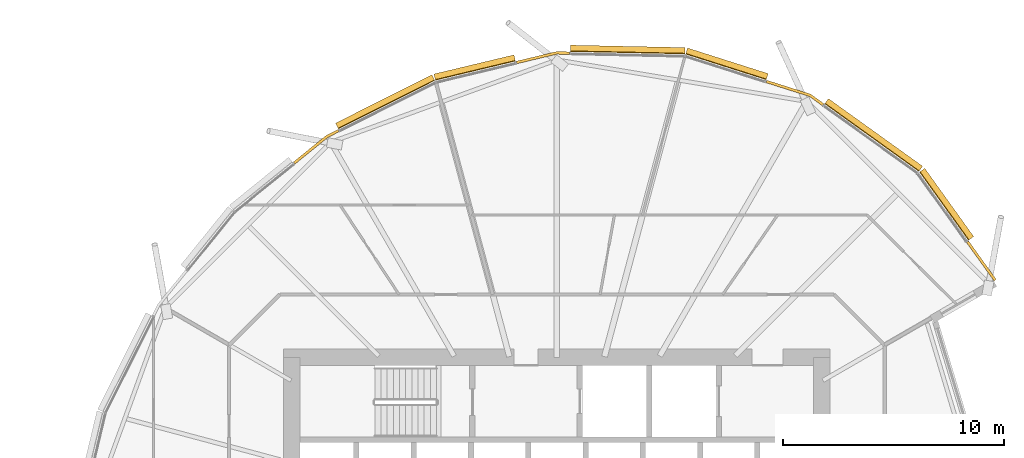
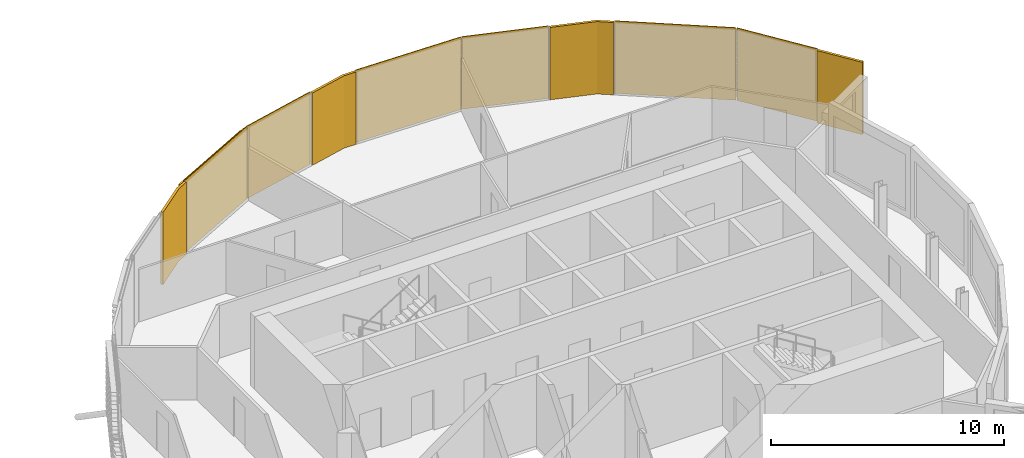
# One storey, part 38 of 38: 10 coverings.
"""IFC4 building model written with IfcOpenShell, lengths in metres."""

from ifc_helpers import new_model, si_unit, direction, frame, origin, place, context, subcontext, project, spatial, polyline, outline, extrude, material, layer, layer_set, material_profile, profile_set, type_object, element, save


model = new_model("IFC4")

# Units and contexts
model_context = context("Model", 3, precision=1e-05, world=origin(), true_north=direction((0.0, 1.0)))
body_context = subcontext(model_context, "Body", "Model", "MODEL_VIEW")
ifc_project = project(units=[si_unit("LENGTHUNIT", "METRE"), si_unit("AREAUNIT", "SQUARE_METRE"), si_unit("VOLUMEUNIT", "CUBIC_METRE"), si_unit("PLANEANGLEUNIT", "RADIAN"), si_unit("MASSUNIT", "GRAM", prefix="KILO")], contexts=[model_context])

# Site, building, storey
site_placement = place(None, origin())
site = spatial("IfcSite", under=ifc_project, at=site_placement, CompositionType="ELEMENT")
building_placement = place(site_placement, origin())
building = spatial("IfcBuilding", under=site, at=building_placement, Name="Rimbun Link Towers", CompositionType="ELEMENT")
storey_placement = place(building_placement, frame((0.0, 0.0, 123.39990234375)))
storey = spatial("IfcBuildingStorey", under=building, at=storey_placement, Name="L30", CompositionType="ELEMENT", Elevation=123.39990234375)

# Coverings
ifc_material_1 = material(Name="Terracotta", Category="masonry")
ifc_layer = layer(ifc_material_1, 0.1201171875)
ifc_layer_set = layer_set([ifc_layer], Name="LINK PIER terracotta cladding 120")
covering_type_1 = type_object("IfcCoveringType", Name="LINK PIER terracotta cladding 120", PredefinedType="CLADDING", material=ifc_layer_set)
covering_1_placement = place(storey_placement, origin())
element("IfcCovering", 1, at=covering_1_placement, inside=storey, type_object=covering_type_1, Name="LINK PIER cladding", PredefinedType="CLADDING", context=body_context, shape_type="SweptSolid", body=[
    extrude(outline(polyline([(41.2158203125, 20.439208984375), (43.1884765625, 19.81201171875), (43.7734375, 19.39208984375), (43.84326171875, 19.48974609375), (43.242919921875, 19.92041015625), (41.252197265625, 20.5537109375), (41.2158203125, 20.439208984375)])), origin(), (0.0, 0.0, 1.0), 3.800048828125),
])
covering_2_placement = place(storey_placement, origin())
element("IfcCovering", 2, at=covering_2_placement, inside=storey, type_object=covering_type_1, Name="LINK PIER cladding", PredefinedType="CLADDING", context=body_context, shape_type="SweptSolid", body=[
    extrude(outline(polyline([(29.931396484375, 21.29541015625), (31.75, 21.730224609375), (32.31982421875, 21.71826171875), (32.322509765625, 21.83837890625), (31.737060546875, 21.8505859375), (29.9033203125, 21.412109375), (29.931396484375, 21.29541015625)])), origin(), (0.0, 0.0, 1.0), 3.800048828125),
])
covering_3_placement = place(storey_placement, origin())
element("IfcCovering", 3, at=covering_3_placement, inside=storey, type_object=covering_type_1, Name="LINK PIER cladding", PredefinedType="CLADDING", context=body_context, shape_type="SweptSolid", body=[
    extrude(outline(polyline([(19.887451171875, 16.753662109375), (21.3798828125, 17.961669921875), (21.88916015625, 18.217529296875), (21.835205078125, 18.32470703125), (21.314453125, 18.063232421875), (19.81201171875, 16.846923828125), (19.887451171875, 16.753662109375)])), origin(), (0.0, 0.0, 1.0), 3.800048828125),
])
covering_4_placement = place(storey_placement, origin())
element("IfcCovering", 4, at=covering_4_placement, inside=storey, type_object=covering_type_1, Name="LINK PIER cladding", PredefinedType="CLADDING", context=body_context, shape_type="SweptSolid", body=[
    extrude(outline(polyline([(50.296875, 13.201416015625), (51.54443359375, 11.462890625), (51.641845703125, 11.53271484375), (50.394287109375, 13.271484375), (50.296875, 13.201416015625)])), origin(), (0.0, 0.0, 1.0), 3.800048828125),
])
ifc_material_2 = material(Name="Terracotta", Category="masonry")
ifc_material_profile = material_profile(ifc_material_2, outline(polyline([(0.123046875, 0.0), (0.1630859375, 0.0), (0.1630859375, 0.10009765625), (0.423095703125, 0.10009765625), (0.423095703125, 0.219970703125), (0.1630859375, 0.219970703125), (0.1630859375, 0.39990234375), (0.423095703125, 0.39990234375), (0.423095703125, 0.52001953125), (0.1630859375, 0.52001953125), (0.1630859375, 0.699951171875), (0.423095703125, 0.699951171875), (0.423095703125, 0.820068359375), (0.1630859375, 0.820068359375), (0.1630859375, 1.0), (0.423095703125, 1.0), (0.423095703125, 1.1201171875), (0.1630859375, 1.1201171875), (0.1630859375, 1.300048828125), (0.423095703125, 1.300048828125), (0.423095703125, 1.419921875), (0.1630859375, 1.419921875), (0.1630859375, 1.60009765625), (0.423095703125, 1.60009765625), (0.423095703125, 1.719970703125), (0.1630859375, 1.719970703125), (0.1630859375, 1.89990234375), (0.423095703125, 1.89990234375), (0.423095703125, 2.02001953125), (0.1630859375, 2.02001953125), (0.1630859375, 2.199951171875), (0.423095703125, 2.199951171875), (0.423095703125, 2.320068359375), (0.1630859375, 2.320068359375), (0.1630859375, 2.5), (0.423095703125, 2.5), (0.423095703125, 2.6201171875), (0.1630859375, 2.6201171875), (0.1630859375, 2.800048828125), (0.423095703125, 2.800048828125), (0.423095703125, 2.919921875), (0.1630859375, 2.919921875), (0.1630859375, 3.10009765625), (0.423095703125, 3.10009765625), (0.423095703125, 3.219970703125), (0.1630859375, 3.219970703125), (0.1630859375, 3.39990234375), (0.423095703125, 3.39990234375), (0.423095703125, 3.52001953125), (0.1630859375, 3.52001953125), (0.1630859375, 3.800048828125), (0.123046875, 3.800048828125), (0.123046875, 0.0)])), Name="BAGUETTE 120X300")
ifc_profile_set = profile_set([ifc_material_profile], Name="Terracotta")
covering_type_2 = type_object("IfcCoveringType", Name="TERRACOTTA BAGUETTE 120X300 H3800", PredefinedType="CLADDING", material=ifc_profile_set)
covering_5_placement = place(storey_placement, frame((43.7978515625, 19.374755859375, 0.0), z_axis=(0.812471696344, -0.583000636912, 0.0), x_axis=(0.583000636912, 0.812471696344, 0.0)))
element("IfcCovering", 5, at=covering_5_placement, inside=storey, type_object=covering_type_2, Name="TERRACOTTA BAGUETTE", PredefinedType="CLADDING", context=body_context, shape_type="SweptSolid", body=[
    extrude(outline(polyline([(0.123046875, 0.0), (0.1630859375, 0.0), (0.1630859375, 0.10009765625), (0.423095703125, 0.10009765625), (0.423095703125, 0.219970703125), (0.1630859375, 0.219970703125), (0.1630859375, 0.39990234375), (0.423095703125, 0.39990234375), (0.423095703125, 0.52001953125), (0.1630859375, 0.52001953125), (0.1630859375, 0.699951171875), (0.423095703125, 0.699951171875), (0.423095703125, 0.820068359375), (0.1630859375, 0.820068359375), (0.1630859375, 1.0), (0.423095703125, 1.0), (0.423095703125, 1.1201171875), (0.1630859375, 1.1201171875), (0.1630859375, 1.300048828125), (0.423095703125, 1.300048828125), (0.423095703125, 1.419921875), (0.1630859375, 1.419921875), (0.1630859375, 1.60009765625), (0.423095703125, 1.60009765625), (0.423095703125, 1.719970703125), (0.1630859375, 1.719970703125), (0.1630859375, 1.89990234375), (0.423095703125, 1.89990234375), (0.423095703125, 2.02001953125), (0.1630859375, 2.02001953125), (0.1630859375, 2.199951171875), (0.423095703125, 2.199951171875), (0.423095703125, 2.320068359375), (0.1630859375, 2.320068359375), (0.1630859375, 2.5), (0.423095703125, 2.5), (0.423095703125, 2.6201171875), (0.1630859375, 2.6201171875), (0.1630859375, 2.800048828125), (0.423095703125, 2.800048828125), (0.423095703125, 2.919921875), (0.1630859375, 2.919921875), (0.1630859375, 3.10009765625), (0.423095703125, 3.10009765625), (0.423095703125, 3.219970703125), (0.1630859375, 3.219970703125), (0.1630859375, 3.39990234375), (0.423095703125, 3.39990234375), (0.423095703125, 3.52001953125), (0.1630859375, 3.52001953125), (0.1630859375, 3.800048828125), (0.123046875, 3.800048828125), (0.123046875, 0.0)])), origin(), (0.0, 0.0, 1.0), 5.25048828125),
])
covering_6_placement = place(storey_placement, frame((37.539794921875, 21.6083984375, 0.0), z_axis=(0.952955932815, -0.303108875016, 0.0), x_axis=(0.303108875016, 0.952955932815, 0.0)))
element("IfcCovering", 6, at=covering_6_placement, inside=storey, type_object=covering_type_2, Name="TERRACOTTA BAGUETTE", PredefinedType="CLADDING", context=body_context, shape_type="SweptSolid", body=[
    extrude(outline(polyline([(0.123046875, 0.0), (0.1630859375, 0.0), (0.1630859375, 0.10009765625), (0.423095703125, 0.10009765625), (0.423095703125, 0.219970703125), (0.1630859375, 0.219970703125), (0.1630859375, 0.39990234375), (0.423095703125, 0.39990234375), (0.423095703125, 0.52001953125), (0.1630859375, 0.52001953125), (0.1630859375, 0.699951171875), (0.423095703125, 0.699951171875), (0.423095703125, 0.820068359375), (0.1630859375, 0.820068359375), (0.1630859375, 1.0), (0.423095703125, 1.0), (0.423095703125, 1.1201171875), (0.1630859375, 1.1201171875), (0.1630859375, 1.300048828125), (0.423095703125, 1.300048828125), (0.423095703125, 1.419921875), (0.1630859375, 1.419921875), (0.1630859375, 1.60009765625), (0.423095703125, 1.60009765625), (0.423095703125, 1.719970703125), (0.1630859375, 1.719970703125), (0.1630859375, 1.89990234375), (0.423095703125, 1.89990234375), (0.423095703125, 2.02001953125), (0.1630859375, 2.02001953125), (0.1630859375, 2.199951171875), (0.423095703125, 2.199951171875), (0.423095703125, 2.320068359375), (0.1630859375, 2.320068359375), (0.1630859375, 2.5), (0.423095703125, 2.5), (0.423095703125, 2.6201171875), (0.1630859375, 2.6201171875), (0.1630859375, 2.800048828125), (0.423095703125, 2.800048828125), (0.423095703125, 2.919921875), (0.1630859375, 2.919921875), (0.1630859375, 3.10009765625), (0.423095703125, 3.10009765625), (0.423095703125, 3.219970703125), (0.1630859375, 3.219970703125), (0.1630859375, 3.39990234375), (0.423095703125, 3.39990234375), (0.423095703125, 3.52001953125), (0.1630859375, 3.52001953125), (0.1630859375, 3.800048828125), (0.123046875, 3.800048828125), (0.123046875, 0.0)])), origin(), (0.0, 0.0, 1.0), 3.82763671875),
])
covering_7_placement = place(storey_placement, frame((32.349853515625, 21.7177734375, 0.0), z_axis=(0.999778008373, -0.021069740698, 0.0), x_axis=(0.021069740698, 0.999778008373, 0.0)))
element("IfcCovering", 7, at=covering_7_placement, inside=storey, type_object=covering_type_2, Name="TERRACOTTA BAGUETTE", PredefinedType="CLADDING", context=body_context, shape_type="SweptSolid", body=[
    extrude(outline(polyline([(0.123046875, 0.0), (0.1630859375, 0.0), (0.1630859375, 0.10009765625), (0.423095703125, 0.10009765625), (0.423095703125, 0.219970703125), (0.1630859375, 0.219970703125), (0.1630859375, 0.39990234375), (0.423095703125, 0.39990234375), (0.423095703125, 0.52001953125), (0.1630859375, 0.52001953125), (0.1630859375, 0.699951171875), (0.423095703125, 0.699951171875), (0.423095703125, 0.820068359375), (0.1630859375, 0.820068359375), (0.1630859375, 1.0), (0.423095703125, 1.0), (0.423095703125, 1.1201171875), (0.1630859375, 1.1201171875), (0.1630859375, 1.300048828125), (0.423095703125, 1.300048828125), (0.423095703125, 1.419921875), (0.1630859375, 1.419921875), (0.1630859375, 1.60009765625), (0.423095703125, 1.60009765625), (0.423095703125, 1.719970703125), (0.1630859375, 1.719970703125), (0.1630859375, 1.89990234375), (0.423095703125, 1.89990234375), (0.423095703125, 2.02001953125), (0.1630859375, 2.02001953125), (0.1630859375, 2.199951171875), (0.423095703125, 2.199951171875), (0.423095703125, 2.320068359375), (0.1630859375, 2.320068359375), (0.1630859375, 2.5), (0.423095703125, 2.5), (0.423095703125, 2.6201171875), (0.1630859375, 2.6201171875), (0.1630859375, 2.800048828125), (0.423095703125, 2.800048828125), (0.423095703125, 2.919921875), (0.1630859375, 2.919921875), (0.1630859375, 3.10009765625), (0.423095703125, 3.10009765625), (0.423095703125, 3.219970703125), (0.1630859375, 3.219970703125), (0.1630859375, 3.39990234375), (0.423095703125, 3.39990234375), (0.423095703125, 3.52001953125), (0.1630859375, 3.52001953125), (0.1630859375, 3.800048828125), (0.123046875, 3.800048828125), (0.123046875, 0.0)])), origin(), (0.0, 0.0, 1.0), 5.191162109375),
])
covering_8_placement = place(storey_placement, frame((26.278076171875, 20.421630859375, 0.0), z_axis=(0.972573736539, 0.232594769921, 0.0), x_axis=(-0.232594769921, 0.972573736539, 0.0)))
element("IfcCovering", 8, at=covering_8_placement, inside=storey, type_object=covering_type_2, Name="TERRACOTTA BAGUETTE", PredefinedType="CLADDING", context=body_context, shape_type="SweptSolid", body=[
    extrude(outline(polyline([(0.123046875, 0.0), (0.1630859375, 0.0), (0.1630859375, 0.10009765625), (0.423095703125, 0.10009765625), (0.423095703125, 0.219970703125), (0.1630859375, 0.219970703125), (0.1630859375, 0.39990234375), (0.423095703125, 0.39990234375), (0.423095703125, 0.52001953125), (0.1630859375, 0.52001953125), (0.1630859375, 0.699951171875), (0.423095703125, 0.699951171875), (0.423095703125, 0.820068359375), (0.1630859375, 0.820068359375), (0.1630859375, 1.0), (0.423095703125, 1.0), (0.423095703125, 1.1201171875), (0.1630859375, 1.1201171875), (0.1630859375, 1.300048828125), (0.423095703125, 1.300048828125), (0.423095703125, 1.419921875), (0.1630859375, 1.419921875), (0.1630859375, 1.60009765625), (0.423095703125, 1.60009765625), (0.423095703125, 1.719970703125), (0.1630859375, 1.719970703125), (0.1630859375, 1.89990234375), (0.423095703125, 1.89990234375), (0.423095703125, 2.02001953125), (0.1630859375, 2.02001953125), (0.1630859375, 2.199951171875), (0.423095703125, 2.199951171875), (0.423095703125, 2.320068359375), (0.1630859375, 2.320068359375), (0.1630859375, 2.5), (0.423095703125, 2.5), (0.423095703125, 2.6201171875), (0.1630859375, 2.6201171875), (0.1630859375, 2.800048828125), (0.423095703125, 2.800048828125), (0.423095703125, 2.919921875), (0.1630859375, 2.919921875), (0.1630859375, 3.10009765625), (0.423095703125, 3.10009765625), (0.423095703125, 3.219970703125), (0.1630859375, 3.219970703125), (0.1630859375, 3.39990234375), (0.423095703125, 3.39990234375), (0.423095703125, 3.52001953125), (0.1630859375, 3.52001953125), (0.1630859375, 3.800048828125), (0.123046875, 3.800048828125), (0.123046875, 0.0)])), origin(), (0.0, 0.0, 1.0), 3.726318359375),
])
covering_9_placement = place(storey_placement, frame((21.916015625, 18.23095703125, 0.0), z_axis=(0.893635542068, 0.448793402305, 0.0), x_axis=(-0.448793402305, 0.893635542068, 0.0)))
element("IfcCovering", 9, at=covering_9_placement, inside=storey, type_object=covering_type_2, Name="TERRACOTTA BAGUETTE", PredefinedType="CLADDING", context=body_context, shape_type="SweptSolid", body=[
    extrude(outline(polyline([(0.123046875, 0.0), (0.1630859375, 0.0), (0.1630859375, 0.10009765625), (0.423095703125, 0.10009765625), (0.423095703125, 0.219970703125), (0.1630859375, 0.219970703125), (0.1630859375, 0.39990234375), (0.423095703125, 0.39990234375), (0.423095703125, 0.52001953125), (0.1630859375, 0.52001953125), (0.1630859375, 0.699951171875), (0.423095703125, 0.699951171875), (0.423095703125, 0.820068359375), (0.1630859375, 0.820068359375), (0.1630859375, 1.0), (0.423095703125, 1.0), (0.423095703125, 1.1201171875), (0.1630859375, 1.1201171875), (0.1630859375, 1.300048828125), (0.423095703125, 1.300048828125), (0.423095703125, 1.419921875), (0.1630859375, 1.419921875), (0.1630859375, 1.60009765625), (0.423095703125, 1.60009765625), (0.423095703125, 1.719970703125), (0.1630859375, 1.719970703125), (0.1630859375, 1.89990234375), (0.423095703125, 1.89990234375), (0.423095703125, 2.02001953125), (0.1630859375, 2.02001953125), (0.1630859375, 2.199951171875), (0.423095703125, 2.199951171875), (0.423095703125, 2.320068359375), (0.1630859375, 2.320068359375), (0.1630859375, 2.5), (0.423095703125, 2.5), (0.423095703125, 2.6201171875), (0.1630859375, 2.6201171875), (0.1630859375, 2.800048828125), (0.423095703125, 2.800048828125), (0.423095703125, 2.919921875), (0.1630859375, 2.919921875), (0.1630859375, 3.10009765625), (0.423095703125, 3.10009765625), (0.423095703125, 3.219970703125), (0.1630859375, 3.219970703125), (0.1630859375, 3.39990234375), (0.423095703125, 3.39990234375), (0.423095703125, 3.52001953125), (0.1630859375, 3.52001953125), (0.1630859375, 3.800048828125), (0.123046875, 3.800048828125), (0.123046875, 0.0)])), origin(), (0.0, 0.0, 1.0), 4.88134765625),
])
covering_10_placement = place(storey_placement, frame((48.063720703125, 16.313720703125, 0.0), z_axis=(0.582968725467, -0.812494593907, 0.0), x_axis=(0.812494593907, 0.582968725467, 0.0)))
element("IfcCovering", 10, at=covering_10_placement, inside=storey, type_object=covering_type_2, Name="TERRACOTTA BAGUETTE", PredefinedType="CLADDING", context=body_context, shape_type="SweptSolid", body=[
    extrude(outline(polyline([(0.123046875, 0.0), (0.1630859375, 0.0), (0.1630859375, 0.10009765625), (0.423095703125, 0.10009765625), (0.423095703125, 0.219970703125), (0.1630859375, 0.219970703125), (0.1630859375, 0.39990234375), (0.423095703125, 0.39990234375), (0.423095703125, 0.52001953125), (0.1630859375, 0.52001953125), (0.1630859375, 0.699951171875), (0.423095703125, 0.699951171875), (0.423095703125, 0.820068359375), (0.1630859375, 0.820068359375), (0.1630859375, 1.0), (0.423095703125, 1.0), (0.423095703125, 1.1201171875), (0.1630859375, 1.1201171875), (0.1630859375, 1.300048828125), (0.423095703125, 1.300048828125), (0.423095703125, 1.419921875), (0.1630859375, 1.419921875), (0.1630859375, 1.60009765625), (0.423095703125, 1.60009765625), (0.423095703125, 1.719970703125), (0.1630859375, 1.719970703125), (0.1630859375, 1.89990234375), (0.423095703125, 1.89990234375), (0.423095703125, 2.02001953125), (0.1630859375, 2.02001953125), (0.1630859375, 2.199951171875), (0.423095703125, 2.199951171875), (0.423095703125, 2.320068359375), (0.1630859375, 2.320068359375), (0.1630859375, 2.5), (0.423095703125, 2.5), (0.423095703125, 2.6201171875), (0.1630859375, 2.6201171875), (0.1630859375, 2.800048828125), (0.423095703125, 2.800048828125), (0.423095703125, 2.919921875), (0.1630859375, 2.919921875), (0.1630859375, 3.10009765625), (0.423095703125, 3.10009765625), (0.423095703125, 3.219970703125), (0.1630859375, 3.219970703125), (0.1630859375, 3.39990234375), (0.423095703125, 3.39990234375), (0.423095703125, 3.52001953125), (0.1630859375, 3.52001953125), (0.1630859375, 3.800048828125), (0.123046875, 3.800048828125), (0.123046875, 0.0)])), origin(), (0.0, 0.0, 1.0), 3.800537109375),
])

save(model, "model.ifc")
